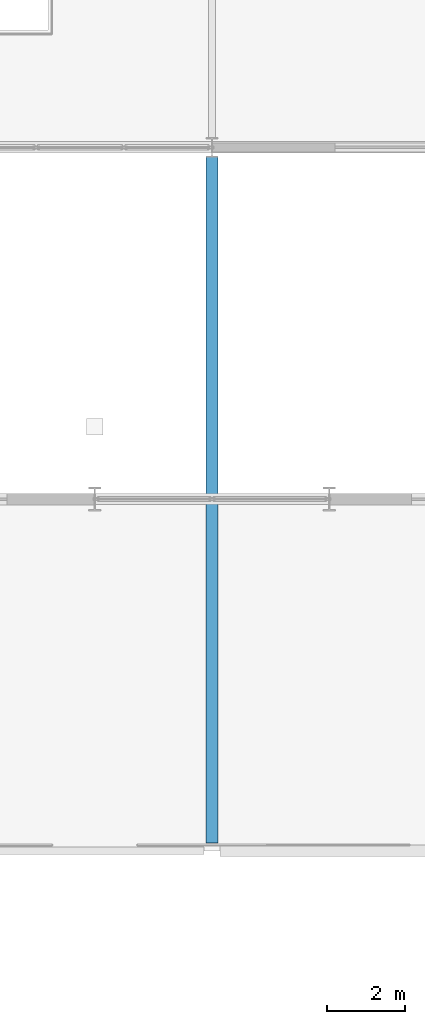
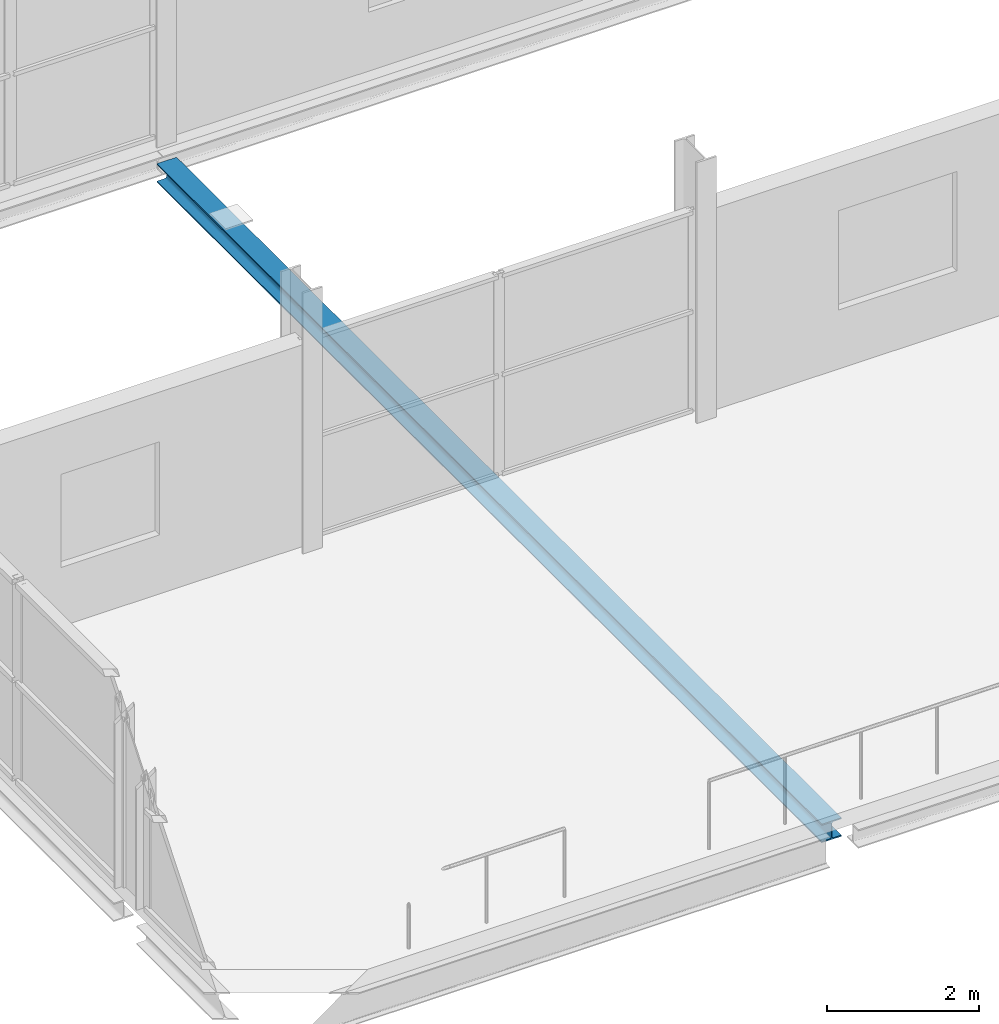
# One storey, part 37 of 135: 1 beam.
"""IFC4 building model written with IfcOpenShell, lengths in metres."""

from ifc_helpers import new_model, si_unit, direction, frame, origin, origin_2d, place, context, subcontext, project, spatial, i_section, extrude, material, material_profile, profile_set, type_object, element, save


model = new_model("IFC4")

# Units and contexts
model_context = context("Model", 3, precision=1e-05, world=origin(), true_north=direction((0.0, 1.0)))
body_context = subcontext(model_context, "Body", "Model", "MODEL_VIEW")
ifc_project = project(units=[si_unit("LENGTHUNIT", "METRE"), si_unit("AREAUNIT", "SQUARE_METRE"), si_unit("VOLUMEUNIT", "CUBIC_METRE"), si_unit("PLANEANGLEUNIT", "RADIAN"), si_unit("MASSUNIT", "GRAM", prefix="KILO")], contexts=[model_context])

# Site, building, storey
site_placement = place(None, origin())
site = spatial("IfcSite", under=ifc_project, at=site_placement, CompositionType="ELEMENT")
building_placement = place(site_placement, origin())
building = spatial("IfcBuilding", under=site, at=building_placement, Name="Deido Ridge Mobility Hub", CompositionType="ELEMENT")
storey_placement = place(building_placement, frame((0.0, 0.0, 4.199951171875)))
storey = spatial("IfcBuildingStorey", under=building, at=storey_placement, Name="L01", CompositionType="ELEMENT", Elevation=4.199951171875)

# Beam
ifc_material = material(Name="Steel S355J2 EN 10025-2", Category="steel")
ifc_material_profile = material_profile(ifc_material, i_section(OverallWidth=0.300048828125, OverallDepth=0.300048828125, WebThickness=0.010986328125, FlangeThickness=0.01904296875, FilletRadius=0.027099609375, at=origin_2d()), Name="HEB 300")
ifc_profile_set = profile_set([ifc_material_profile], Name="Steel S355J2 EN 10025-2")
beam_type = type_object("IfcBeamType", Name="SPD-HEB300", PredefinedType="SPANDREL", material=ifc_profile_set)
beam_placement = place(storey_placement, frame((9.0, 27.203125, -0.39990234375), z_axis=(0.0, 1.0, 0.0), x_axis=(-1.0, 0.0, 0.0)))
element("IfcBeam", 1, at=beam_placement, inside=storey, type_object=beam_type, Name="Floor beam SP1", PredefinedType="SPANDREL", context=body_context, shape_type="SweptSolid", body=[
    extrude(i_section(OverallWidth=0.300048828125, OverallDepth=0.300048828125, WebThickness=0.010986328125, FlangeThickness=0.01904296875, FilletRadius=0.027099609375, at=origin_2d()), origin(), (0.0, 0.0, 1.0), 17.546875),
])

save(model, "model.ifc")
